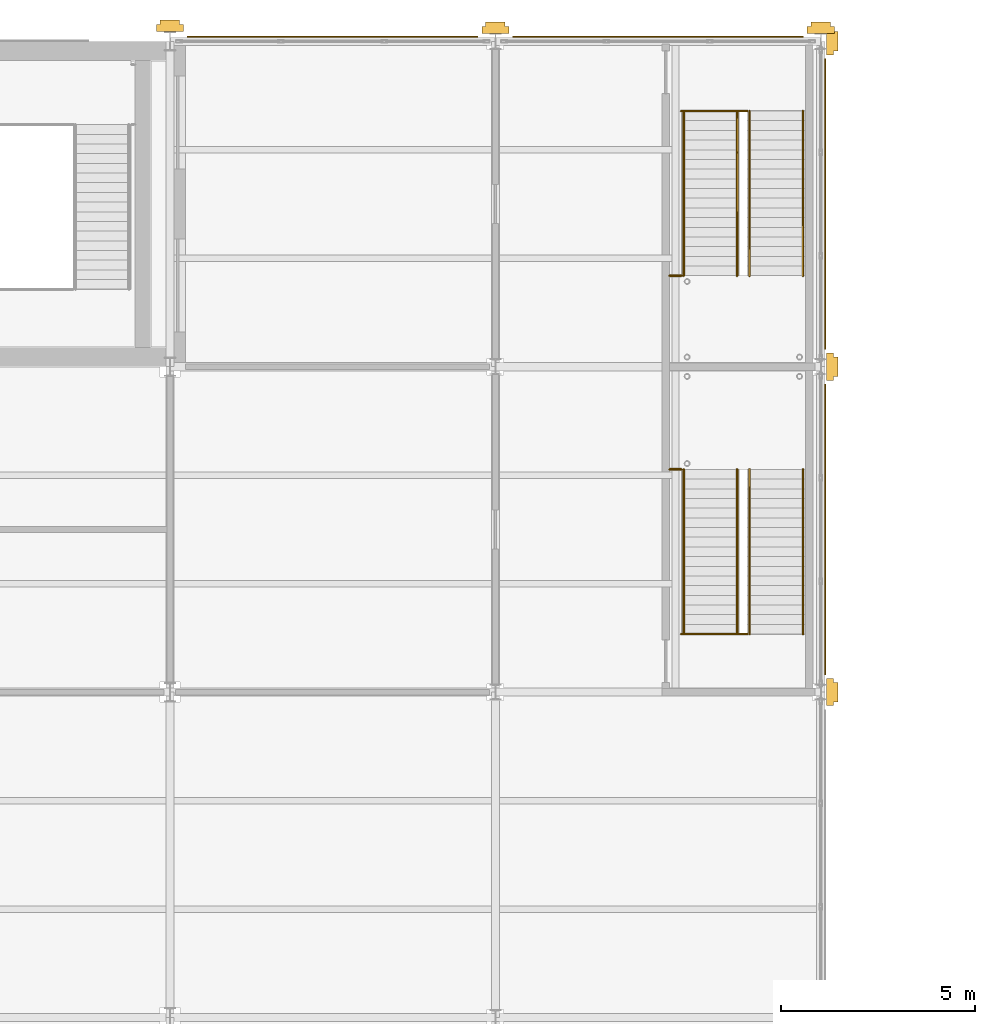
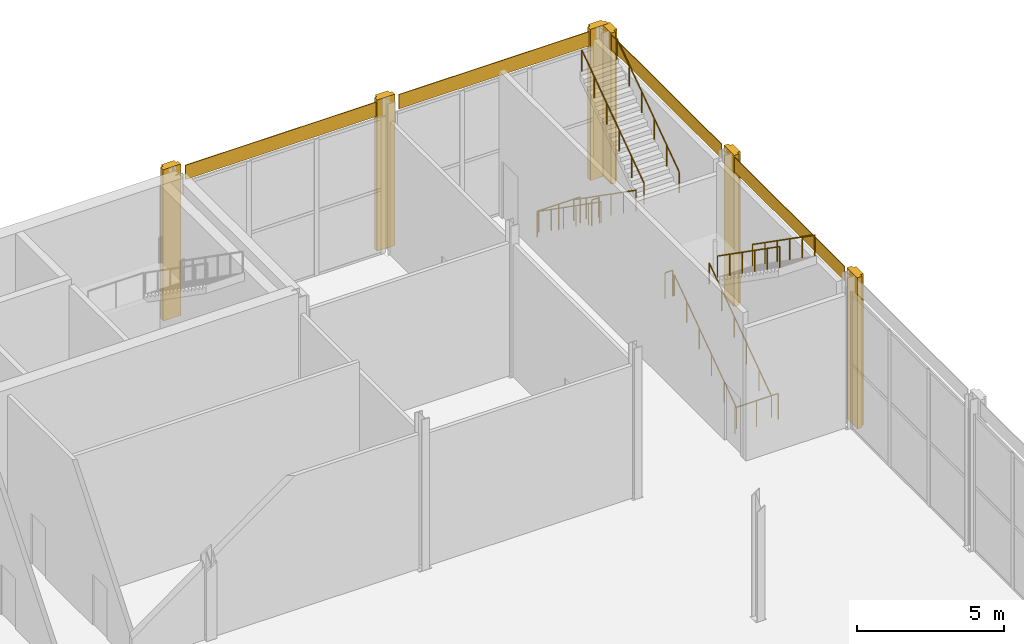
# One storey, part 76 of 77: 12 railings, 10 coverings.
"""IFC4 building model written with IfcOpenShell, lengths in metres."""

import ifcopenshell
import ifcopenshell.guid

model = None  # the IFC model being written
_history = None  # IfcOwnerHistory: only IFC2X3 demands one
_inside = {}  # id of a spatial element -> (the spatial element, [elements in it])
_under = {}  # id of a project, library or spatial element -> (it, [spatial elements below it])
_declared = {}  # id of a project -> (the project, [libraries it declares])
_typed = {}  # id of a type object -> (the type object, [elements of that type])
_made_of = {}  # id of a material, layer set ... -> (it, [elements and type objects made of it])


def new_model(schema):
    """Start an empty IFC model of exactly this schema.

    Asked for "IFC4X3", IfcOpenShell would pick the latest addendum, in which some entities
    have other attributes; the version numbers below select the first issue.
    IFC2X3 requires an IfcOwnerHistory on every rooted entity: one is made here for all.
    """
    global model, _history
    if schema == "IFC4X3":
        model = ifcopenshell.file(schema_version=(4, 3, 0, 0))
    else:
        model = ifcopenshell.file(schema=schema)
    _inside.clear()
    _under.clear()
    _declared.clear()
    _typed.clear()
    _made_of.clear()
    _history = None
    if model.schema == "IFC2X3":
        org = make("IfcOrganization", Name="unknown")
        user = make(
            "IfcPersonAndOrganization",
            ThePerson=make("IfcPerson", FamilyName="unknown"),
            TheOrganization=org,
        )
        app = make(
            "IfcApplication",
            ApplicationDeveloper=org,
            Version="unknown",
            ApplicationFullName="unknown",
            ApplicationIdentifier="unknown",
        )
        _history = make(
            "IfcOwnerHistory",
            OwningUser=user,
            OwningApplication=app,
            ChangeAction="ADDED",
            CreationDate=0,
        )
    return model


def make(cls, **values):
    """One entity of the class cls with the attributes given. An attribute that is None is left unset."""
    return model.create_entity(
        cls, **{name: value for name, value in values.items() if value is not None}
    )


def rooted(cls, **values):
    """An entity with a GlobalId (a new one), such as an element, a storey or a relation."""
    return make(cls, GlobalId=ifcopenshell.guid.new(), OwnerHistory=_history, **values)


def si_unit(unit_type, name, prefix=None):
    """IfcSIUnit, for example si_unit("LENGTHUNIT", "METRE", prefix="MILLI")."""
    return make("IfcSIUnit", UnitType=unit_type, Prefix=prefix, Name=name)


def assignment(units):
    """IfcUnitAssignment: the units of a project."""
    return None if units is None else make("IfcUnitAssignment", Units=units)


def point(xyz):
    """IfcCartesianPoint."""
    return None if xyz is None else make("IfcCartesianPoint", Coordinates=xyz)


def direction(xyz):
    """IfcDirection."""
    return None if xyz is None else make("IfcDirection", DirectionRatios=xyz)


def frame(location, z_axis=None, x_axis=None):
    """IfcAxis2Placement3D, a coordinate frame: its origin and axes. An axis left out is left unset."""
    return make(
        "IfcAxis2Placement3D",
        Location=point(location),
        Axis=direction(z_axis),
        RefDirection=direction(x_axis),
    )


def frame_2d(location, x_axis=None):
    """IfcAxis2Placement2D, a coordinate frame in the plane: its origin and x axis."""
    return make(
        "IfcAxis2Placement2D", Location=point(location), RefDirection=direction(x_axis)
    )


def origin():
    """The frame at (0, 0, 0) with its axes left unset."""
    return frame((0.0, 0.0, 0.0))


def origin_2d():
    """The frame at (0, 0) in the plane with its x axis left unset."""
    return frame_2d((0.0, 0.0))


def place(relative_to, where):
    """IfcLocalPlacement: puts the frame where relative to a parent placement (None: the world)."""
    return make(
        "IfcLocalPlacement", PlacementRelTo=relative_to, RelativePlacement=where
    )


def context(
    kind, dimensions, precision=None, world=None, true_north=None, identifier=None
):
    """IfcGeometricRepresentationContext, for example the 3D "Model" context."""
    return make(
        "IfcGeometricRepresentationContext",
        ContextIdentifier=identifier,
        ContextType=kind,
        CoordinateSpaceDimension=dimensions,
        Precision=precision,
        WorldCoordinateSystem=world,
        TrueNorth=true_north,
    )


def subcontext(parent, identifier, kind, view, scale=None):
    """IfcGeometricRepresentationSubContext, for example "Body" below "Model"."""
    return make(
        "IfcGeometricRepresentationSubContext",
        ContextIdentifier=identifier,
        ContextType=kind,
        ParentContext=parent,
        TargetScale=scale,
        TargetView=view,
    )


def project(units=None, contexts=None):
    """IfcProject with its units and contexts."""
    return rooted(
        "IfcProject",
        Name="project",
        RepresentationContexts=contexts,
        UnitsInContext=assignment(units),
    )


def spatial(cls, under=None, at=None, **own):
    """A site, building, storey or space (cls), placed at a placement, below another one or the project."""
    s = rooted(cls, ObjectPlacement=at, **own)
    if under is not None:
        _under.setdefault(under.id(), (under, []))[1].append(s)
    return s


def polyline(points):
    """IfcPolyline through the points."""
    return make("IfcPolyline", Points=[point(p) for p in points])


def profile(cls, at=None, kind="AREA", **sizes):
    """A parametric profile (cls). Its sizes go by their IFC names, for example OverallWidth=200.0."""
    return make(cls, ProfileType=kind, Position=at, **sizes)


def rectangle(**sizes):
    """IfcRectangleProfileDef."""
    return profile("IfcRectangleProfileDef", **sizes)


def circle(**sizes):
    """IfcCircleProfileDef."""
    return profile("IfcCircleProfileDef", **sizes)


def outline(outer, holes=None, kind="AREA"):
    """IfcArbitraryClosedProfileDef: a profile drawn as a closed curve; with holes, ...WithVoids."""
    if holes is None:
        return make("IfcArbitraryClosedProfileDef", ProfileType=kind, OuterCurve=outer)
    return make(
        "IfcArbitraryProfileDefWithVoids",
        ProfileType=kind,
        OuterCurve=outer,
        InnerCurves=holes,
    )


def extrude(swept, where, along, depth):
    """IfcExtrudedAreaSolid: the profile swept, set in the frame where, extruded along a direction by depth."""
    return make(
        "IfcExtrudedAreaSolid",
        SweptArea=swept,
        Position=where,
        ExtrudedDirection=direction(along),
        Depth=depth,
    )


def shape(context_of_items, identifier, shape_type, items):
    """IfcShapeRepresentation: the items that make up one representation, for example the "Body"."""
    return make(
        "IfcShapeRepresentation",
        ContextOfItems=context_of_items,
        RepresentationIdentifier=identifier,
        RepresentationType=shape_type,
        Items=items,
    )


def material(Name=None, Category=None):
    """IfcMaterial."""
    return make("IfcMaterial", Name=Name, Category=Category)


def layer(
    of_material, thickness, ventilated=None, Name=None, Category=None, Priority=None
):
    """IfcMaterialLayer: one layer of a wall or slab, of a material (None: an air gap)."""
    return make(
        "IfcMaterialLayer",
        Material=of_material,
        LayerThickness=thickness,
        IsVentilated=ventilated,
        Name=Name,
        Category=Category,
        Priority=Priority,
    )


def layer_set(layers, Name=None):
    """IfcMaterialLayerSet."""
    return make("IfcMaterialLayerSet", MaterialLayers=layers, LayerSetName=Name)


def made_of(thing, what):
    """Note that an element or type object is made of a material, layer set ...; save() writes the relation."""
    if what is not None:
        _made_of.setdefault(what.id(), (what, []))[1].append(thing)
    return thing


def type_object(cls, material=None, **own):
    """A type object (cls), such as IfcWallType, which elements share."""
    return made_of(rooted(cls, **own), material)


def element(
    cls,
    number,
    at=None,
    inside=None,
    cuts=None,
    type_object=None,
    material=None,
    context=None,
    identifier="Body",
    shape_type=None,
    held_by="IfcProductDefinitionShape",
    body=None,
    shapes=None,
    **own,
):
    """One element of the class cls, such as IfcWall. Its Tag is "e" and its number.

    at: its placement. inside: the storey or other place that contains it. cuts: it is an
    opening in that element (IfcRelVoidsElement). A single representation is given by context,
    identifier, shape_type and body (its items); several are given by shapes. held_by: the class
    of the entity that holds the representations. save() writes the other relations.
    """
    e = rooted(cls, Tag="e%d" % number, ObjectPlacement=at, **own)
    if body is not None:
        shapes = [shape(context, identifier, shape_type, body)]
    if shapes is not None:
        e.Representation = make(held_by, Representations=shapes)
    if inside is not None:
        _inside.setdefault(inside.id(), (inside, []))[1].append(e)
    if cuts is not None:
        rooted(
            "IfcRelVoidsElement", RelatingBuildingElement=cuts, RelatedOpeningElement=e
        )
    if type_object is not None:
        _typed.setdefault(type_object.id(), (type_object, []))[1].append(e)
    return made_of(e, material)


def aggregate(whole, parts):
    """IfcRelAggregates: a whole, such as a stair, and the parts it consists of."""
    return rooted("IfcRelAggregates", RelatingObject=whole, RelatedObjects=parts)


def save(model, path):
    """Write the relations noted so far, then the file.

    IfcRelAggregates (storeys below a building ...), IfcRelContainedInSpatialStructure (elements
    in a storey), IfcRelDefinesByType, IfcRelAssociatesMaterial and IfcRelDeclares: one each for
    every whole, place, type object, material and project.
    """
    for whole, parts in _under.values():
        aggregate(whole, parts)
    for where, things in _inside.values():
        rooted(
            "IfcRelContainedInSpatialStructure",
            RelatedElements=things,
            RelatingStructure=where,
        )
    for kind, things in _typed.values():
        rooted("IfcRelDefinesByType", RelatedObjects=things, RelatingType=kind)
    for what, things in _made_of.values():
        rooted("IfcRelAssociatesMaterial", RelatedObjects=things, RelatingMaterial=what)
    for by, libraries in _declared.values():
        rooted("IfcRelDeclares", RelatingContext=by, RelatedDefinitions=libraries)
    model.write(path)


model = new_model("IFC4")

# Units and contexts
model_context = context("Model", 3, precision=1e-05, world=origin(), true_north=direction((0.0, 1.0)))
body_context = subcontext(model_context, "Body", "Model", "MODEL_VIEW")
ifc_project = project(units=[si_unit("LENGTHUNIT", "METRE"), si_unit("AREAUNIT", "SQUARE_METRE"), si_unit("VOLUMEUNIT", "CUBIC_METRE"), si_unit("PLANEANGLEUNIT", "RADIAN"), si_unit("MASSUNIT", "GRAM", prefix="KILO")], contexts=[model_context])

# Site, building, storey
site_placement = place(None, origin())
site = spatial("IfcSite", under=ifc_project, at=site_placement, CompositionType="ELEMENT")
building_placement = place(site_placement, origin())
building = spatial("IfcBuilding", under=site, at=building_placement, Name="Catenary Quay Ferry Terminal", CompositionType="ELEMENT")
storey_placement = place(building_placement, frame((0.0, 0.0, 10.800048828125)))
storey = spatial("IfcBuildingStorey", under=building, at=storey_placement, Name="L02", CompositionType="ELEMENT", Elevation=10.800048828125)

# Coverings
ifc_material_1 = material(Name="Ceramic tile")
ifc_layer_1 = layer(ifc_material_1, 0.0400390625)
ifc_layer_set_1 = layer_set([ifc_layer_1], Name="CL2")
covering_type_1 = type_object("IfcCoveringType", Name="CL2", PredefinedType="CLADDING", material=ifc_layer_set_1)
covering_1_placement = place(storey_placement, origin())
element("IfcCovering", 1, at=covering_1_placement, inside=storey, type_object=covering_type_1, Name="Ceramic pier casing", PredefinedType="CLADDING", context=body_context, shape_type="SweptSolid", body=[
    extrude(outline(polyline([(50.75, 210.25), (50.75, 210.429931640625), (50.64990234375, 210.429931640625), (50.64990234375, 210.550048828125), (50.14990234375, 210.550048828125), (50.14990234375, 210.429931640625), (50.050048828125, 210.429931640625), (50.050048828125, 210.25), (50.75, 210.25)])), origin(), (0.0, 0.0, 1.0), 6.300048828125),
])
covering_2_placement = place(storey_placement, origin())
element("IfcCovering", 2, at=covering_2_placement, inside=storey, type_object=covering_type_1, Name="Ceramic pier casing", PredefinedType="CLADDING", context=body_context, shape_type="SweptSolid", body=[
    extrude(outline(polyline([(59.14990234375, 210.199951171875), (59.14990234375, 210.3798828125), (59.050048828125, 210.3798828125), (59.050048828125, 210.5), (58.550048828125, 210.5), (58.550048828125, 210.3798828125), (58.449951171875, 210.3798828125), (58.449951171875, 210.199951171875), (59.14990234375, 210.199951171875)])), origin(), (0.0, 0.0, 1.0), 6.300048828125),
])
covering_3_placement = place(storey_placement, origin())
element("IfcCovering", 3, at=covering_3_placement, inside=storey, type_object=covering_type_1, Name="Ceramic pier casing", PredefinedType="CLADDING", context=body_context, shape_type="SweptSolid", body=[
    extrude(outline(polyline([(67.35009765625, 192.85009765625), (67.530029296875, 192.85009765625), (67.530029296875, 192.949951171875), (67.64990234375, 192.949951171875), (67.64990234375, 193.449951171875), (67.530029296875, 193.449951171875), (67.530029296875, 193.550048828125), (67.35009765625, 193.550048828125), (67.35009765625, 192.85009765625)])), origin(), (0.0, 0.0, 1.0), 6.300048828125),
])
covering_4_placement = place(storey_placement, origin())
element("IfcCovering", 4, at=covering_4_placement, inside=storey, type_object=covering_type_1, Name="Ceramic pier casing", PredefinedType="CLADDING", context=body_context, shape_type="SweptSolid", body=[
    extrude(outline(polyline([(67.35009765625, 201.25), (67.530029296875, 201.25), (67.530029296875, 201.35009765625), (67.64990234375, 201.35009765625), (67.64990234375, 201.85009765625), (67.530029296875, 201.85009765625), (67.530029296875, 201.949951171875), (67.35009765625, 201.949951171875), (67.35009765625, 201.25)])), origin(), (0.0, 0.0, 1.0), 6.300048828125),
])
covering_5_placement = place(storey_placement, origin())
element("IfcCovering", 5, at=covering_5_placement, inside=storey, type_object=covering_type_1, Name="Ceramic pier casing", PredefinedType="CLADDING", context=body_context, shape_type="SweptSolid", body=[
    extrude(outline(polyline([(67.35009765625, 209.64990234375), (67.530029296875, 209.64990234375), (67.530029296875, 209.75), (67.64990234375, 209.75), (67.64990234375, 210.25), (67.530029296875, 210.25), (67.530029296875, 210.35009765625), (67.35009765625, 210.35009765625), (67.35009765625, 209.64990234375)])), origin(), (0.0, 0.0, 1.0), 6.300048828125),
])
covering_6_placement = place(storey_placement, origin())
element("IfcCovering", 6, at=covering_6_placement, inside=storey, type_object=covering_type_1, Name="Ceramic pier casing", PredefinedType="CLADDING", context=body_context, shape_type="SweptSolid", body=[
    extrude(outline(polyline([(67.550048828125, 210.199951171875), (67.550048828125, 210.3798828125), (67.449951171875, 210.3798828125), (67.449951171875, 210.5), (66.949951171875, 210.5), (66.949951171875, 210.3798828125), (66.85009765625, 210.3798828125), (66.85009765625, 210.199951171875), (67.550048828125, 210.199951171875)])), origin(), (0.0, 0.0, 1.0), 6.300048828125),
])
ifc_material_2 = material(Name="Glazed ceramic tile, ochre")
ifc_layer_2 = layer(ifc_material_2, 0.030029296875)
ifc_layer_set_2 = layer_set([ifc_layer_2], Name="CL6")
covering_type_2 = type_object("IfcCoveringType", Name="CL6", PredefinedType="CLADDING", material=ifc_layer_set_2)
for number, where, z_axis, x_axis, name in (
    (7, (67.3193359375, 197.39990234375, 5.699951171875), (0.0, 0.0, 1.0), (1.0, 0.0, 0.0), "Band wing v67.2 cladding CV330"),
    (8, (67.3193359375, 205.800048828125, 5.699951171875), (0.0, 0.0, 1.0), (1.0, 0.0, 0.0), "Band wing v67.2 cladding CV331"),
):
    element("IfcCovering", number, at=place(storey_placement, frame(where, z_axis=z_axis, x_axis=x_axis)), inside=storey, type_object=covering_type_2, Name=name, PredefinedType="CLADDING", context=body_context, shape_type="SweptSolid", body=[
        extrude(rectangle(XDim=0.030029296875, YDim=7.5, at=origin_2d()), origin(), (0.0, 0.0, 1.0), 0.60009765625),
    ])
for number, where, z_axis, x_axis, name in (
    (9, (54.60009765625, 210.119384765625, 5.699951171875), (0.0, 0.0, 1.0), (1.0, 0.0, 0.0), "Band wing h210.0 cladding CV335"),
    (10, (63.0, 210.119384765625, 5.699951171875), (0.0, 0.0, 1.0), (1.0, 0.0, 0.0), "Band wing h210.0 cladding CV336"),
):
    element("IfcCovering", number, at=place(storey_placement, frame(where, z_axis=z_axis, x_axis=x_axis)), inside=storey, type_object=covering_type_2, Name=name, PredefinedType="CLADDING", context=body_context, shape_type="SweptSolid", body=[
        extrude(rectangle(XDim=7.5, YDim=0.030029296875, at=origin_2d()), origin(), (0.0, 0.0, 1.0), 0.60009765625),
    ])

# Railings
ifc_material_3 = material(Name="Steel and glass", Category="steel")
railing_type_1 = type_object("IfcRailingType", Name="GI1", PredefinedType="GUARDRAIL", material=ifc_material_3)
railing_1_placement = place(storey_placement, frame((63.60009765625, 194.699951171875, 0.0)))
element("IfcRailing", 11, at=railing_1_placement, inside=storey, type_object=railing_type_1, Name="HS4 well guard GI225", PredefinedType="GUARDRAIL", context=body_context, shape_type="SweptSolid", body=[
    extrude(circle(Radius=0.02392578125, at=origin_2d()), frame((0.0, 0.0, 1.076171875), z_axis=(1.0, 0.0, 0.0), x_axis=(0.0, 1.0, 0.0)), (0.0, 0.0, 1.0), 1.699951171875),
    extrude(circle(Radius=0.02099609375, at=origin_2d()), origin(), (0.0, 0.0, 1.0), 1.052001953125),
    extrude(circle(Radius=0.02099609375, at=origin_2d()), frame((0.85009765625, 0.0, 0.0)), (0.0, 0.0, 1.0), 1.052001953125),
    extrude(circle(Radius=0.02099609375, at=origin_2d()), frame((1.699951171875, 0.0, 0.0)), (0.0, 0.0, 1.0), 1.052001953125),
])
railing_2_placement = place(storey_placement, frame((63.599853515625, 198.949951171875, 3.14990234375)))
element("IfcRailing", 12, at=railing_2_placement, inside=storey, type_object=railing_type_1, Name="HS4 strip 0 guard GI237", PredefinedType="GUARDRAIL", context=body_context, shape_type="SweptSolid", body=[
    extrude(circle(Radius=0.02392578125, at=origin_2d()), frame((0.0, 0.0, 1.076171875), z_axis=(-1.0, 0.0, 0.0), x_axis=(0.0, -1.0, 0.0)), (0.0, 0.0, 1.0), 0.2998046875),
    extrude(circle(Radius=0.02099609375, at=origin_2d()), origin(), (0.0, 0.0, 1.0), 1.052001953125),
    extrude(circle(Radius=0.02099609375, at=origin_2d()), frame((-0.2998046875, 0.0, 0.0)), (0.0, 0.0, 1.0), 1.052001953125),
])
railing_3_placement = place(storey_placement, frame((63.60009765625, 208.199951171875, 0.0)))
element("IfcRailing", 13, at=railing_3_placement, inside=storey, type_object=railing_type_1, Name="HS5 well guard GI257", PredefinedType="GUARDRAIL", context=body_context, shape_type="SweptSolid", body=[
    extrude(circle(Radius=0.02392578125, at=origin_2d()), frame((0.0, 0.0, 1.076171875), z_axis=(1.0, 0.0, 0.0), x_axis=(0.0, 1.0, 0.0)), (0.0, 0.0, 1.0), 1.699951171875),
    extrude(circle(Radius=0.02099609375, at=origin_2d()), origin(), (0.0, 0.0, 1.0), 1.052001953125),
    extrude(circle(Radius=0.02099609375, at=origin_2d()), frame((0.85009765625, 0.0, 0.0)), (0.0, 0.0, 1.0), 1.052001953125),
    extrude(circle(Radius=0.02099609375, at=origin_2d()), frame((1.699951171875, 0.0, 0.0)), (0.0, 0.0, 1.0), 1.052001953125),
])
railing_4_placement = place(storey_placement, frame((63.300048828125, 203.949951171875, 3.14990234375)))
element("IfcRailing", 14, at=railing_4_placement, inside=storey, type_object=railing_type_1, Name="HS5 strip 0 guard GI269", PredefinedType="GUARDRAIL", context=body_context, shape_type="SweptSolid", body=[
    extrude(circle(Radius=0.02392578125, at=origin_2d()), frame((0.0, 0.0, 1.076171875), z_axis=(1.0, 0.0, 0.0), x_axis=(0.0, 1.0, 0.0)), (0.0, 0.0, 1.0), 0.2998046875),
    extrude(circle(Radius=0.02099609375, at=origin_2d()), origin(), (0.0, 0.0, 1.0), 1.052001953125),
    extrude(circle(Radius=0.02099609375, at=origin_2d()), frame((0.2998046875, 0.0, 0.0)), (0.0, 0.0, 1.0), 1.052001953125),
])
ifc_material_4 = material(Name="Stainless steel", Category="steel")
railing_type_2 = type_object("IfcRailingType", Name="HR1", PredefinedType="HANDRAIL", material=ifc_material_4)
for number, where, name in (
    (15, (63.659912109375, 194.699951171875, 0.175048828125), "HS4 F1A handrail HR232"),
    (16, (65.0400390625, 194.699951171875, 0.175048828125), "HS4 F1B handrail HR233"),
):
    element("IfcRailing", number, at=place(storey_placement, frame(where)), inside=storey, type_object=railing_type_2, Name=name, PredefinedType="HANDRAIL", context=body_context, shape_type="SweptSolid", body=[
        extrude(circle(Radius=0.02392578125, at=origin_2d()), frame((0.0, 0.0, 0.8759765625), z_axis=(0.0, 0.819245185935, 0.573443393303), x_axis=(-1.0, 0.0, 0.0)), (0.0, 0.0, 1.0), 5.187744140625),
        extrude(circle(Radius=0.02099609375, at=origin_2d()), origin(), (0.0, 0.0, 1.0), 0.851806640625),
        extrude(circle(Radius=0.02099609375, at=origin_2d()), frame((0.0, 0.85009765625, 0.594970703125)), (0.0, 0.0, 1.0), 0.851806640625),
        extrude(circle(Radius=0.02099609375, at=origin_2d()), frame((0.0, 1.699951171875, 1.18994140625)), (0.0, 0.0, 1.0), 0.851806640625),
        extrude(circle(Radius=0.02099609375, at=origin_2d()), frame((0.0, 2.550048828125, 1.784912109375)), (0.0, 0.0, 1.0), 0.851806640625),
        extrude(circle(Radius=0.02099609375, at=origin_2d()), frame((0.0, 3.39990234375, 2.3798828125)), (0.0, 0.0, 1.0), 0.851806640625),
        extrude(circle(Radius=0.02099609375, at=origin_2d()), frame((0.0, 4.25, 2.974853515625)), (0.0, 0.0, 1.0), 0.851806640625),
    ])
for number, where, name in (
    (17, (65.360107421875, 198.949951171875, 3.324951171875), "HS4 F2A handrail HR234"),
    (18, (66.739990234375, 198.949951171875, 3.324951171875), "HS4 F2B handrail HR235"),
):
    element("IfcRailing", number, at=place(storey_placement, frame(where)), inside=storey, type_object=railing_type_2, Name=name, PredefinedType="HANDRAIL", context=body_context, shape_type="SweptSolid", body=[
        extrude(circle(Radius=0.02392578125, at=origin_2d()), frame((0.0, 0.0, 0.8759765625), z_axis=(0.0, -0.819223076904, 0.573474977892), x_axis=(1.0, 0.0, 0.0)), (0.0, 0.0, 1.0), 5.187744140625),
        extrude(circle(Radius=0.02099609375, at=origin_2d()), origin(), (0.0, 0.0, 1.0), 0.851806640625),
        extrude(circle(Radius=0.02099609375, at=origin_2d()), frame((0.0, -0.85009765625, 0.594970703125)), (0.0, 0.0, 1.0), 0.851806640625),
        extrude(circle(Radius=0.02099609375, at=origin_2d()), frame((0.0, -1.699951171875, 1.18994140625)), (0.0, 0.0, 1.0), 0.851806640625),
        extrude(circle(Radius=0.02099609375, at=origin_2d()), frame((0.0, -2.550048828125, 1.78515625)), (0.0, 0.0, 1.0), 0.851806640625),
        extrude(circle(Radius=0.02099609375, at=origin_2d()), frame((0.0, -3.39990234375, 2.380126953125)), (0.0, 0.0, 1.0), 0.851806640625),
        extrude(circle(Radius=0.02099609375, at=origin_2d()), frame((0.0, -4.25, 2.97509765625)), (0.0, 0.0, 1.0), 0.851806640625),
    ])
for number, where, name in (
    (19, (63.659912109375, 208.199951171875, 0.175048828125), "HS5 F1A handrail HR264"),
    (20, (65.0400390625, 208.199951171875, 0.175048828125), "HS5 F1B handrail HR265"),
):
    element("IfcRailing", number, at=place(storey_placement, frame(where)), inside=storey, type_object=railing_type_2, Name=name, PredefinedType="HANDRAIL", context=body_context, shape_type="SweptSolid", body=[
        extrude(circle(Radius=0.02392578125, at=origin_2d()), frame((0.0, 0.0, 0.8759765625), z_axis=(0.0, -0.819245185935, 0.573443393303), x_axis=(1.0, 0.0, 0.0)), (0.0, 0.0, 1.0), 5.187744140625),
        extrude(circle(Radius=0.02099609375, at=origin_2d()), origin(), (0.0, 0.0, 1.0), 0.851806640625),
        extrude(circle(Radius=0.02099609375, at=origin_2d()), frame((0.0, -0.85009765625, 0.594970703125)), (0.0, 0.0, 1.0), 0.851806640625),
        extrude(circle(Radius=0.02099609375, at=origin_2d()), frame((0.0, -1.699951171875, 1.18994140625)), (0.0, 0.0, 1.0), 0.851806640625),
        extrude(circle(Radius=0.02099609375, at=origin_2d()), frame((0.0, -2.550048828125, 1.784912109375)), (0.0, 0.0, 1.0), 0.851806640625),
        extrude(circle(Radius=0.02099609375, at=origin_2d()), frame((0.0, -3.39990234375, 2.3798828125)), (0.0, 0.0, 1.0), 0.851806640625),
        extrude(circle(Radius=0.02099609375, at=origin_2d()), frame((0.0, -4.25, 2.974853515625)), (0.0, 0.0, 1.0), 0.851806640625),
    ])
for number, where, name in (
    (21, (65.360107421875, 203.949951171875, 3.324951171875), "HS5 F2A handrail HR266"),
    (22, (66.739990234375, 203.949951171875, 3.324951171875), "HS5 F2B handrail HR267"),
):
    element("IfcRailing", number, at=place(storey_placement, frame(where)), inside=storey, type_object=railing_type_2, Name=name, PredefinedType="HANDRAIL", context=body_context, shape_type="SweptSolid", body=[
        extrude(circle(Radius=0.02392578125, at=origin_2d()), frame((0.0, 0.0, 0.8759765625), z_axis=(0.0, 0.819223076904, 0.573474977892), x_axis=(-1.0, 0.0, 0.0)), (0.0, 0.0, 1.0), 5.187744140625),
        extrude(circle(Radius=0.02099609375, at=origin_2d()), origin(), (0.0, 0.0, 1.0), 0.851806640625),
        extrude(circle(Radius=0.02099609375, at=origin_2d()), frame((0.0, 0.85009765625, 0.594970703125)), (0.0, 0.0, 1.0), 0.851806640625),
        extrude(circle(Radius=0.02099609375, at=origin_2d()), frame((0.0, 1.699951171875, 1.18994140625)), (0.0, 0.0, 1.0), 0.851806640625),
        extrude(circle(Radius=0.02099609375, at=origin_2d()), frame((0.0, 2.550048828125, 1.78515625)), (0.0, 0.0, 1.0), 0.851806640625),
        extrude(circle(Radius=0.02099609375, at=origin_2d()), frame((0.0, 3.39990234375, 2.380126953125)), (0.0, 0.0, 1.0), 0.851806640625),
        extrude(circle(Radius=0.02099609375, at=origin_2d()), frame((0.0, 4.25, 2.97509765625)), (0.0, 0.0, 1.0), 0.851806640625),
    ])

save(model, "model.ifc")
